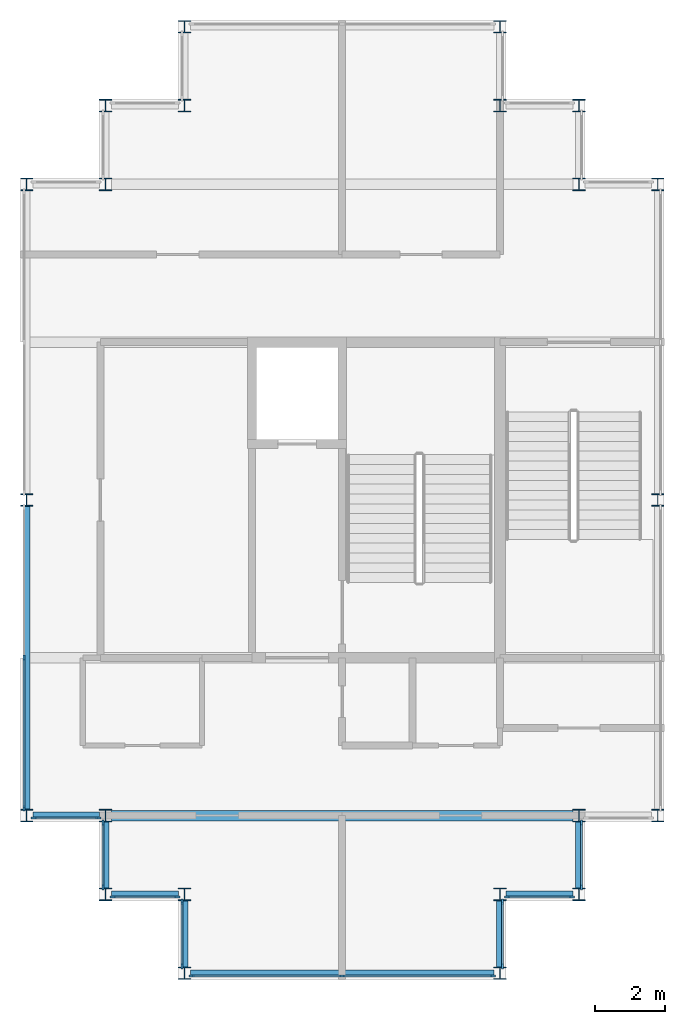
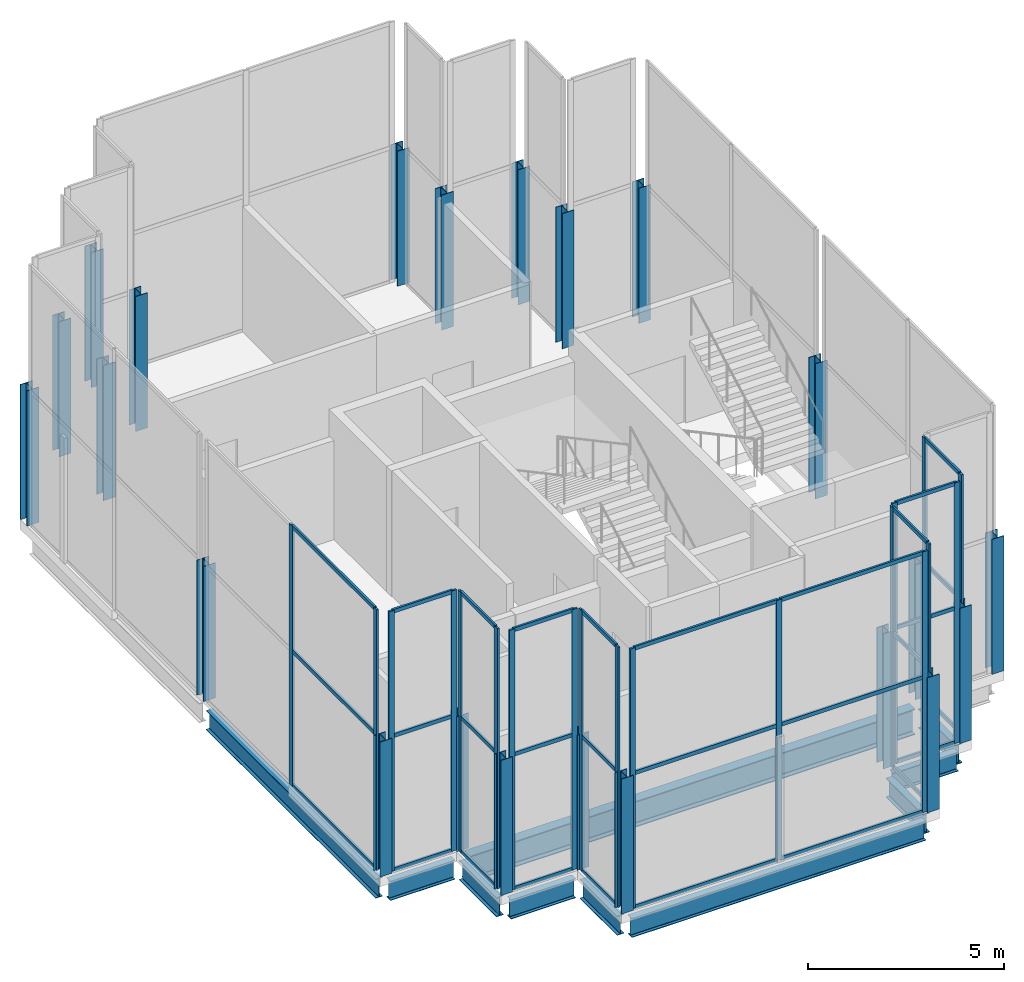
# One storey, part 1 of 8: 49 members, 22 columns, 10 beams, 9 elements without a shape of their own.
"""IFC4 building model written with IfcOpenShell, lengths in metres."""

from ifc_helpers import new_model, si_unit, direction, frame, origin, origin_2d, place, context, subcontext, project, spatial, rectangle, i_section, extrude, material, layer, layer_set, material_profile, profile_set, type_object, element, aggregate, save


model = new_model("IFC4")

# Units and contexts
model_context = context("Model", 3, precision=1e-05, world=origin(), true_north=direction((0.0, 1.0)))
body_context = subcontext(model_context, "Body", "Model", "MODEL_VIEW")
ifc_project = project(units=[si_unit("LENGTHUNIT", "METRE"), si_unit("AREAUNIT", "SQUARE_METRE"), si_unit("VOLUMEUNIT", "CUBIC_METRE"), si_unit("PLANEANGLEUNIT", "RADIAN"), si_unit("MASSUNIT", "GRAM", prefix="KILO")], contexts=[model_context])

# Site, building, storey
site_placement = place(None, origin())
site = spatial("IfcSite", under=ifc_project, at=site_placement, CompositionType="ELEMENT")
building_placement = place(site_placement, origin())
building = spatial("IfcBuilding", under=site, at=building_placement, Name="Caravel Reach Hotel and Residences", CompositionType="ELEMENT")
storey_placement = place(building_placement, frame((0.0, 0.0, 325.39990234375)))
storey = spatial("IfcBuildingStorey", under=building, at=storey_placement, Name="L82", CompositionType="ELEMENT", Elevation=325.39990234375)

# Columns
ifc_material_1 = material(Name="Structural steel Q355B", Category="steel")
ifc_material_profile_1 = material_profile(ifc_material_1, i_section(OverallWidth=0.35009765625, OverallDepth=0.35009765625, WebThickness=0.011962890625, FlangeThickness=0.01904296875, FilletRadius=0.012939453125, at=origin_2d()), Name="HW 350x350x12x19")
ifc_profile_set_1 = profile_set([ifc_material_profile_1], Name="Structural steel Q355B")
column_type = type_object("IfcColumnType", Name="Crown column HW 350x350x12x19", PredefinedType="COLUMN", material=ifc_profile_set_1)
for number, where, z_axis, x_axis, name in (
    (1, (45.0, 13.5, 0.0), (0.0, 0.0, 1.0), (1.0, 0.0, 0.0), "C19 column"),
    (2, (45.0, 15.75, 0.0), (0.0, 0.0, 1.0), (1.0, 0.0, 0.0), "C19 column"),
    (3, (47.25, 15.75, 0.0), (0.0, 0.0, 1.0), (1.0, 0.0, 0.0), "C19 column"),
    (4, (47.25, 18.0, 0.0), (0.0, 0.0, 1.0), (1.0, 0.0, 0.0), "C19 column"),
    (5, (49.5, 18.0, 0.0), (0.0, 0.0, 1.0), (1.0, 0.0, 0.0), "C19 column"),
    (6, (49.5, 27.0, 0.0), (0.0, 0.0, 1.0), (1.0, 0.0, 0.0), "C19 column"),
    (7, (49.5, 36.0, 0.0), (0.0, 0.0, 1.0), (1.0, 0.0, 0.0), "C19 column"),
    (8, (47.25, 36.0, 0.0), (0.0, 0.0, 1.0), (1.0, 0.0, 0.0), "C19 column"),
    (9, (47.25, 38.25, 0.0), (0.0, 0.0, 1.0), (1.0, 0.0, 0.0), "C19 column"),
    (10, (45.0, 38.25, 0.0), (0.0, 0.0, 1.0), (1.0, 0.0, 0.0), "C19 column"),
    (11, (45.0, 40.5, 0.0), (0.0, 0.0, 1.0), (1.0, 0.0, 0.0), "C19 column"),
    (12, (36.0, 40.5, 0.0), (0.0, 0.0, 1.0), (1.0, 0.0, 0.0), "C19 column"),
    (13, (36.0, 38.25, 0.0), (0.0, 0.0, 1.0), (1.0, 0.0, 0.0), "C19 column"),
    (14, (33.75, 38.25, 0.0), (0.0, 0.0, 1.0), (1.0, 0.0, 0.0), "C19 column"),
    (15, (33.75, 36.0, 0.0), (0.0, 0.0, 1.0), (1.0, 0.0, 0.0), "C19 column"),
    (16, (31.5, 36.0, 0.0), (0.0, 0.0, 1.0), (1.0, 0.0, 0.0), "C19 column"),
    (17, (31.5, 27.0, 0.0), (0.0, 0.0, 1.0), (1.0, 0.0, 0.0), "C19 column"),
    (18, (31.5, 18.0, 0.0), (0.0, 0.0, 1.0), (1.0, 0.0, 0.0), "C19 column"),
    (19, (33.75, 18.0, 0.0), (0.0, 0.0, 1.0), (1.0, 0.0, 0.0), "C19 column"),
    (20, (33.75, 15.75, 0.0), (0.0, 0.0, 1.0), (1.0, 0.0, 0.0), "C19 column"),
    (21, (36.0, 15.75, 0.0), (0.0, 0.0, 1.0), (1.0, 0.0, 0.0), "C19 column"),
    (22, (36.0, 13.5, 0.0), (0.0, 0.0, 1.0), (1.0, 0.0, 0.0), "C19 column"),
):
    element("IfcColumn", number, at=place(storey_placement, frame(where, z_axis=z_axis, x_axis=x_axis)), inside=storey, type_object=column_type, Name=name, PredefinedType="COLUMN", context=body_context, shape_type="SweptSolid", body=[
        extrude(i_section(OverallWidth=0.35009765625, OverallDepth=0.35009765625, WebThickness=0.011962890625, FlangeThickness=0.01904296875, FilletRadius=0.012939453125, at=origin_2d()), origin(), (0.0, 0.0, 1.0), 4.2001953125),
    ])

# Beam
ifc_material_2 = material(Name="Structural steel Q355B", Category="steel")
ifc_material_profile_2 = material_profile(ifc_material_2, i_section(OverallWidth=0.300048828125, OverallDepth=0.800048828125, WebThickness=0.013916015625, FlangeThickness=0.02587890625, FilletRadius=0.01806640625, at=origin_2d()), Name="HN 800x300x14x26")
ifc_profile_set_2 = profile_set([ifc_material_profile_2], Name="Structural steel Q355B")
beam_type_1 = type_object("IfcBeamType", Name="Beam HN 800x300x14x26", PredefinedType="BEAM", material=ifc_profile_set_2)
beam_1_placement = place(storey_placement, frame((33.925048828125, 18.0, -0.699951171875), z_axis=(1.0, 0.0, 0.0), x_axis=(0.0, 1.0, 0.0)))
element("IfcBeam", 23, at=beam_1_placement, inside=storey, type_object=beam_type_1, Name="B4 HN 800x300x14x26", PredefinedType="BEAM", context=body_context, shape_type="SweptSolid", body=[
    extrude(i_section(OverallWidth=0.300048828125, OverallDepth=0.800048828125, WebThickness=0.013916015625, FlangeThickness=0.02587890625, FilletRadius=0.01806640625, at=origin_2d()), origin(), (0.0, 0.0, 1.0), 13.14990234375),
])

# Curtain wall, members
ifc_material_3 = material(Name="Dark low-e glazing in black aluminium frame", Category="aluminium")
ifc_layer = layer(ifc_material_3, 0.199951171875)
ifc_layer_set = layer_set([ifc_layer], Name="CW4 Crown glazing")
curtain_wall_type = type_object("IfcCurtainWallType", Name="CW4 Crown glazing", PredefinedType="NOTDEFINED", material=ifc_layer_set)
curtain_wall_1_placement = place(storey_placement, origin())
curtain_wall_1 = element("IfcCurtainWall", 24, at=curtain_wall_1_placement, inside=storey, type_object=curtain_wall_type, Name="Crown glazing b0", PredefinedType="NOTDEFINED")
ifc_material_4 = material(Name="Anodised aluminium alloy 6063-T5, black", Category="aluminium")
ifc_material_profile_3 = material_profile(ifc_material_4, rectangle(XDim=0.06005859375, YDim=0.159912109375, at=origin_2d()), Name="CW mullion 60 x 160")
ifc_profile_set_3 = profile_set([ifc_material_profile_3], Name="Anodised aluminium alloy 6063-T5, black")
member_type_1 = type_object("IfcMemberType", Name="CW mullion 60 x 160", PredefinedType="MULLION", material=ifc_profile_set_3)
member_1_placement = place(storey_placement, frame((45.074951171875, 13.705078125, 0.0), z_axis=(0.0, 0.0, 1.0), x_axis=(-1.0, 0.0, 0.0)))
member_1 = element("IfcMember", 25, at=member_1_placement, type_object=member_type_1, Name="CW4 mullion 1", PredefinedType="MULLION", context=body_context, shape_type="SweptSolid", body=[
    extrude(rectangle(XDim=0.06005859375, YDim=0.159912109375, at=origin_2d()), origin(), (0.0, 0.0, 1.0), 8.10009765625),
])
member_2_placement = place(storey_placement, frame((45.074951171875, 15.544921875, 0.0), z_axis=(0.0, 0.0, 1.0), x_axis=(-1.0, 0.0, 0.0)))
member_2 = element("IfcMember", 26, at=member_2_placement, type_object=member_type_1, Name="CW4 mullion 2", PredefinedType="MULLION", context=body_context, shape_type="SweptSolid", body=[
    extrude(rectangle(XDim=0.06005859375, YDim=0.159912109375, at=origin_2d()), origin(), (0.0, 0.0, 1.0), 8.10009765625),
])

curtain_wall_2_placement = place(storey_placement, origin())
curtain_wall_2 = element("IfcCurtainWall", 27, at=curtain_wall_2_placement, inside=storey, type_object=curtain_wall_type, Name="Crown glazing b0", PredefinedType="NOTDEFINED")
member_3_placement = place(storey_placement, frame((45.205078125, 15.675048828125, 0.0), z_axis=(0.0, 0.0, 1.0), x_axis=(0.0, 1.0, 0.0)))
member_3 = element("IfcMember", 28, at=member_3_placement, type_object=member_type_1, Name="CW4 mullion 1", PredefinedType="MULLION", context=body_context, shape_type="SweptSolid", body=[
    extrude(rectangle(XDim=0.06005859375, YDim=0.159912109375, at=origin_2d()), origin(), (0.0, 0.0, 1.0), 8.10009765625),
])
member_4_placement = place(storey_placement, frame((47.044921875, 15.675048828125, 0.0), z_axis=(0.0, 0.0, 1.0), x_axis=(0.0, 1.0, 0.0)))
member_4 = element("IfcMember", 29, at=member_4_placement, type_object=member_type_1, Name="CW4 mullion 2", PredefinedType="MULLION", context=body_context, shape_type="SweptSolid", body=[
    extrude(rectangle(XDim=0.06005859375, YDim=0.159912109375, at=origin_2d()), origin(), (0.0, 0.0, 1.0), 8.10009765625),
])

curtain_wall_3_placement = place(storey_placement, origin())
curtain_wall_3 = element("IfcCurtainWall", 30, at=curtain_wall_3_placement, inside=storey, type_object=curtain_wall_type, Name="Crown glazing b0", PredefinedType="NOTDEFINED")
member_5_placement = place(storey_placement, frame((47.324951171875, 15.955078125, 0.0), z_axis=(0.0, 0.0, 1.0), x_axis=(-1.0, 0.0, 0.0)))
member_5 = element("IfcMember", 31, at=member_5_placement, type_object=member_type_1, Name="CW4 mullion 1", PredefinedType="MULLION", context=body_context, shape_type="SweptSolid", body=[
    extrude(rectangle(XDim=0.06005859375, YDim=0.159912109375, at=origin_2d()), origin(), (0.0, 0.0, 1.0), 8.10009765625),
])
member_6_placement = place(storey_placement, frame((47.324951171875, 17.794921875, 0.0), z_axis=(0.0, 0.0, 1.0), x_axis=(-1.0, 0.0, 0.0)))
member_6 = element("IfcMember", 32, at=member_6_placement, type_object=member_type_1, Name="CW4 mullion 2", PredefinedType="MULLION", context=body_context, shape_type="SweptSolid", body=[
    extrude(rectangle(XDim=0.06005859375, YDim=0.159912109375, at=origin_2d()), origin(), (0.0, 0.0, 1.0), 8.10009765625),
])

curtain_wall_4_placement = place(storey_placement, origin())
curtain_wall_4 = element("IfcCurtainWall", 33, at=curtain_wall_4_placement, inside=storey, type_object=curtain_wall_type, Name="Crown glazing b1", PredefinedType="NOTDEFINED")
member_7_placement = place(storey_placement, frame((31.425048828125, 22.5, 0.0), z_axis=(0.0, 0.0, 1.0), x_axis=(1.0, 0.0, 0.0)))
member_7 = element("IfcMember", 34, at=member_7_placement, type_object=member_type_1, Name="CW4 mullion 2", PredefinedType="MULLION", context=body_context, shape_type="SweptSolid", body=[
    extrude(rectangle(XDim=0.06005859375, YDim=0.159912109375, at=origin_2d()), origin(), (0.0, 0.0, 1.0), 8.10009765625),
])
member_8_placement = place(storey_placement, frame((31.425048828125, 18.205078125, 0.0), z_axis=(0.0, 0.0, 1.0), x_axis=(1.0, 0.0, 0.0)))
member_8 = element("IfcMember", 35, at=member_8_placement, type_object=member_type_1, Name="CW4 mullion 3", PredefinedType="MULLION", context=body_context, shape_type="SweptSolid", body=[
    extrude(rectangle(XDim=0.06005859375, YDim=0.159912109375, at=origin_2d()), origin(), (0.0, 0.0, 1.0), 8.10009765625),
])

curtain_wall_5_placement = place(storey_placement, origin())
curtain_wall_5 = element("IfcCurtainWall", 36, at=curtain_wall_5_placement, inside=storey, type_object=curtain_wall_type, Name="Crown glazing b0", PredefinedType="NOTDEFINED")
member_9_placement = place(storey_placement, frame((31.705078125, 17.925048828125, 0.0), z_axis=(0.0, 0.0, 1.0), x_axis=(0.0, 1.0, 0.0)))
member_9 = element("IfcMember", 37, at=member_9_placement, type_object=member_type_1, Name="CW4 mullion 1", PredefinedType="MULLION", context=body_context, shape_type="SweptSolid", body=[
    extrude(rectangle(XDim=0.06005859375, YDim=0.159912109375, at=origin_2d()), origin(), (0.0, 0.0, 1.0), 8.10009765625),
])
member_10_placement = place(storey_placement, frame((33.544921875, 17.925048828125, 0.0), z_axis=(0.0, 0.0, 1.0), x_axis=(0.0, 1.0, 0.0)))
member_10 = element("IfcMember", 38, at=member_10_placement, type_object=member_type_1, Name="CW4 mullion 2", PredefinedType="MULLION", context=body_context, shape_type="SweptSolid", body=[
    extrude(rectangle(XDim=0.06005859375, YDim=0.159912109375, at=origin_2d()), origin(), (0.0, 0.0, 1.0), 8.10009765625),
])

curtain_wall_6_placement = place(storey_placement, origin())
curtain_wall_6 = element("IfcCurtainWall", 39, at=curtain_wall_6_placement, inside=storey, type_object=curtain_wall_type, Name="Crown glazing b0", PredefinedType="NOTDEFINED")
member_11_placement = place(storey_placement, frame((33.675048828125, 17.794921875, 0.0), z_axis=(0.0, 0.0, 1.0), x_axis=(1.0, 0.0, 0.0)))
member_11 = element("IfcMember", 40, at=member_11_placement, type_object=member_type_1, Name="CW4 mullion 1", PredefinedType="MULLION", context=body_context, shape_type="SweptSolid", body=[
    extrude(rectangle(XDim=0.06005859375, YDim=0.159912109375, at=origin_2d()), origin(), (0.0, 0.0, 1.0), 8.10009765625),
])
member_12_placement = place(storey_placement, frame((33.675048828125, 15.955078125, 0.0), z_axis=(0.0, 0.0, 1.0), x_axis=(1.0, 0.0, 0.0)))
member_12 = element("IfcMember", 41, at=member_12_placement, type_object=member_type_1, Name="CW4 mullion 2", PredefinedType="MULLION", context=body_context, shape_type="SweptSolid", body=[
    extrude(rectangle(XDim=0.06005859375, YDim=0.159912109375, at=origin_2d()), origin(), (0.0, 0.0, 1.0), 8.10009765625),
])

curtain_wall_7_placement = place(storey_placement, origin())
curtain_wall_7 = element("IfcCurtainWall", 42, at=curtain_wall_7_placement, inside=storey, type_object=curtain_wall_type, Name="Crown glazing b0", PredefinedType="NOTDEFINED")
member_13_placement = place(storey_placement, frame((33.955078125, 15.675048828125, 0.0), z_axis=(0.0, 0.0, 1.0), x_axis=(0.0, 1.0, 0.0)))
member_13 = element("IfcMember", 43, at=member_13_placement, type_object=member_type_1, Name="CW4 mullion 1", PredefinedType="MULLION", context=body_context, shape_type="SweptSolid", body=[
    extrude(rectangle(XDim=0.06005859375, YDim=0.159912109375, at=origin_2d()), origin(), (0.0, 0.0, 1.0), 8.10009765625),
])
member_14_placement = place(storey_placement, frame((35.794921875, 15.675048828125, 0.0), z_axis=(0.0, 0.0, 1.0), x_axis=(0.0, 1.0, 0.0)))
member_14 = element("IfcMember", 44, at=member_14_placement, type_object=member_type_1, Name="CW4 mullion 2", PredefinedType="MULLION", context=body_context, shape_type="SweptSolid", body=[
    extrude(rectangle(XDim=0.06005859375, YDim=0.159912109375, at=origin_2d()), origin(), (0.0, 0.0, 1.0), 8.10009765625),
])

curtain_wall_8_placement = place(storey_placement, origin())
curtain_wall_8 = element("IfcCurtainWall", 45, at=curtain_wall_8_placement, inside=storey, type_object=curtain_wall_type, Name="Crown glazing b0", PredefinedType="NOTDEFINED")
member_15_placement = place(storey_placement, frame((35.925048828125, 15.544921875, 0.0), z_axis=(0.0, 0.0, 1.0), x_axis=(1.0, 0.0, 0.0)))
member_15 = element("IfcMember", 46, at=member_15_placement, type_object=member_type_1, Name="CW4 mullion 1", PredefinedType="MULLION", context=body_context, shape_type="SweptSolid", body=[
    extrude(rectangle(XDim=0.06005859375, YDim=0.159912109375, at=origin_2d()), origin(), (0.0, 0.0, 1.0), 8.10009765625),
])
member_16_placement = place(storey_placement, frame((35.925048828125, 13.705078125, 0.0), z_axis=(0.0, 0.0, 1.0), x_axis=(1.0, 0.0, 0.0)))
member_16 = element("IfcMember", 47, at=member_16_placement, type_object=member_type_1, Name="CW4 mullion 2", PredefinedType="MULLION", context=body_context, shape_type="SweptSolid", body=[
    extrude(rectangle(XDim=0.06005859375, YDim=0.159912109375, at=origin_2d()), origin(), (0.0, 0.0, 1.0), 8.10009765625),
])

curtain_wall_9_placement = place(storey_placement, origin())
curtain_wall_9 = element("IfcCurtainWall", 48, at=curtain_wall_9_placement, inside=storey, type_object=curtain_wall_type, Name="Crown glazing b0", PredefinedType="NOTDEFINED")
member_17_placement = place(storey_placement, frame((36.205078125, 13.425048828125, 0.0), z_axis=(0.0, 0.0, 1.0), x_axis=(0.0, 1.0, 0.0)))
member_17 = element("IfcMember", 49, at=member_17_placement, type_object=member_type_1, Name="CW4 mullion 1", PredefinedType="MULLION", context=body_context, shape_type="SweptSolid", body=[
    extrude(rectangle(XDim=0.06005859375, YDim=0.159912109375, at=origin_2d()), origin(), (0.0, 0.0, 1.0), 8.10009765625),
])
member_18_placement = place(storey_placement, frame((40.5, 13.425048828125, 0.0), z_axis=(0.0, 0.0, 1.0), x_axis=(0.0, 1.0, 0.0)))
member_18 = element("IfcMember", 50, at=member_18_placement, type_object=member_type_1, Name="CW4 mullion 2", PredefinedType="MULLION", context=body_context, shape_type="SweptSolid", body=[
    extrude(rectangle(XDim=0.06005859375, YDim=0.159912109375, at=origin_2d()), origin(), (0.0, 0.0, 1.0), 8.10009765625),
])
member_19_placement = place(storey_placement, frame((44.794921875, 13.425048828125, 0.0), z_axis=(0.0, 0.0, 1.0), x_axis=(0.0, 1.0, 0.0)))
member_19 = element("IfcMember", 51, at=member_19_placement, type_object=member_type_1, Name="CW4 mullion 3", PredefinedType="MULLION", context=body_context, shape_type="SweptSolid", body=[
    extrude(rectangle(XDim=0.06005859375, YDim=0.159912109375, at=origin_2d()), origin(), (0.0, 0.0, 1.0), 8.10009765625),
])

# Member
ifc_material_5 = material(Name="Anodised aluminium alloy 6063-T5, black", Category="aluminium")
ifc_material_profile_4 = material_profile(ifc_material_5, rectangle(XDim=0.06005859375, YDim=0.1201171875, at=origin_2d()), Name="CW transom 60 x 120")
ifc_profile_set_4 = profile_set([ifc_material_profile_4], Name="Anodised aluminium alloy 6063-T5, black")
member_type_2 = type_object("IfcMemberType", Name="CW transom 60 x 120", PredefinedType="USERDEFINED", material=ifc_profile_set_4)
member_20_placement = place(storey_placement, frame((45.074951171875, 13.735107421875, 0.030029296875), z_axis=(0.0, 1.0, 0.0), x_axis=(-1.0, 0.0, 0.0)))
member_20 = element("IfcMember", 52, at=member_20_placement, type_object=member_type_2, Name="CW4 transom 1.1", ObjectType="TRANSOM", PredefinedType="USERDEFINED", context=body_context, shape_type="SweptSolid", body=[
    extrude(rectangle(XDim=0.06005859375, YDim=0.1201171875, at=origin_2d()), origin(), (0.0, 0.0, 1.0), 1.77978515625),
])

member_21_placement = place(storey_placement, frame((45.074951171875, 13.735107421875, 4.2001953125), z_axis=(0.0, 1.0, 0.0), x_axis=(-1.0, 0.0, 0.0)))
member_21 = element("IfcMember", 53, at=member_21_placement, type_object=member_type_2, Name="CW4 transom 1.2", ObjectType="TRANSOM", PredefinedType="USERDEFINED", context=body_context, shape_type="SweptSolid", body=[
    extrude(rectangle(XDim=0.06005859375, YDim=0.1201171875, at=origin_2d()), origin(), (0.0, 0.0, 1.0), 1.77978515625),
])

member_22_placement = place(storey_placement, frame((45.074951171875, 13.735107421875, 8.070068359375), z_axis=(0.0, 1.0, 0.0), x_axis=(-1.0, 0.0, 0.0)))
member_22 = element("IfcMember", 54, at=member_22_placement, type_object=member_type_2, Name="CW4 transom 1.3", ObjectType="TRANSOM", PredefinedType="USERDEFINED", context=body_context, shape_type="SweptSolid", body=[
    extrude(rectangle(XDim=0.06005859375, YDim=0.1201171875, at=origin_2d()), origin(), (0.0, 0.0, 1.0), 1.77978515625),
])

aggregate(curtain_wall_1, [member_1, member_2, member_20, member_21, member_22])

member_23_placement = place(storey_placement, frame((45.235107421875, 15.675048828125, 0.030029296875), z_axis=(1.0, 0.0, 0.0), x_axis=(0.0, 1.0, 0.0)))
member_23 = element("IfcMember", 55, at=member_23_placement, type_object=member_type_2, Name="CW4 transom 1.1", ObjectType="TRANSOM", PredefinedType="USERDEFINED", context=body_context, shape_type="SweptSolid", body=[
    extrude(rectangle(XDim=0.06005859375, YDim=0.1201171875, at=origin_2d()), origin(), (0.0, 0.0, 1.0), 1.77978515625),
])

member_24_placement = place(storey_placement, frame((45.235107421875, 15.675048828125, 4.2001953125), z_axis=(1.0, 0.0, 0.0), x_axis=(0.0, 1.0, 0.0)))
member_24 = element("IfcMember", 56, at=member_24_placement, type_object=member_type_2, Name="CW4 transom 1.2", ObjectType="TRANSOM", PredefinedType="USERDEFINED", context=body_context, shape_type="SweptSolid", body=[
    extrude(rectangle(XDim=0.06005859375, YDim=0.1201171875, at=origin_2d()), origin(), (0.0, 0.0, 1.0), 1.77978515625),
])

member_25_placement = place(storey_placement, frame((45.235107421875, 15.675048828125, 8.070068359375), z_axis=(1.0, 0.0, 0.0), x_axis=(0.0, 1.0, 0.0)))
member_25 = element("IfcMember", 57, at=member_25_placement, type_object=member_type_2, Name="CW4 transom 1.3", ObjectType="TRANSOM", PredefinedType="USERDEFINED", context=body_context, shape_type="SweptSolid", body=[
    extrude(rectangle(XDim=0.06005859375, YDim=0.1201171875, at=origin_2d()), origin(), (0.0, 0.0, 1.0), 1.77978515625),
])

aggregate(curtain_wall_2, [member_3, member_4, member_23, member_24, member_25])

member_26_placement = place(storey_placement, frame((47.324951171875, 15.985107421875, 0.030029296875), z_axis=(0.0, 1.0, 0.0), x_axis=(-1.0, 0.0, 0.0)))
member_26 = element("IfcMember", 58, at=member_26_placement, type_object=member_type_2, Name="CW4 transom 1.1", ObjectType="TRANSOM", PredefinedType="USERDEFINED", context=body_context, shape_type="SweptSolid", body=[
    extrude(rectangle(XDim=0.06005859375, YDim=0.1201171875, at=origin_2d()), origin(), (0.0, 0.0, 1.0), 1.77978515625),
])

member_27_placement = place(storey_placement, frame((47.324951171875, 15.985107421875, 4.2001953125), z_axis=(0.0, 1.0, 0.0), x_axis=(-1.0, 0.0, 0.0)))
member_27 = element("IfcMember", 59, at=member_27_placement, type_object=member_type_2, Name="CW4 transom 1.2", ObjectType="TRANSOM", PredefinedType="USERDEFINED", context=body_context, shape_type="SweptSolid", body=[
    extrude(rectangle(XDim=0.06005859375, YDim=0.1201171875, at=origin_2d()), origin(), (0.0, 0.0, 1.0), 1.77978515625),
])

member_28_placement = place(storey_placement, frame((47.324951171875, 15.985107421875, 8.070068359375), z_axis=(0.0, 1.0, 0.0), x_axis=(-1.0, 0.0, 0.0)))
member_28 = element("IfcMember", 60, at=member_28_placement, type_object=member_type_2, Name="CW4 transom 1.3", ObjectType="TRANSOM", PredefinedType="USERDEFINED", context=body_context, shape_type="SweptSolid", body=[
    extrude(rectangle(XDim=0.06005859375, YDim=0.1201171875, at=origin_2d()), origin(), (0.0, 0.0, 1.0), 1.77978515625),
])

aggregate(curtain_wall_3, [member_5, member_6, member_26, member_27, member_28])

member_29_placement = place(storey_placement, frame((31.425048828125, 22.469970703125, 0.030029296875), z_axis=(0.0, -1.0, 0.0), x_axis=(1.0, 0.0, 0.0)))
member_29 = element("IfcMember", 61, at=member_29_placement, type_object=member_type_2, Name="CW4 transom 2.1", ObjectType="TRANSOM", PredefinedType="USERDEFINED", context=body_context, shape_type="SweptSolid", body=[
    extrude(rectangle(XDim=0.06005859375, YDim=0.1201171875, at=origin_2d()), origin(), (0.0, 0.0, 1.0), 4.23486328125),
])

member_30_placement = place(storey_placement, frame((31.425048828125, 22.469970703125, 4.2001953125), z_axis=(0.0, -1.0, 0.0), x_axis=(1.0, 0.0, 0.0)))
member_30 = element("IfcMember", 62, at=member_30_placement, type_object=member_type_2, Name="CW4 transom 2.2", ObjectType="TRANSOM", PredefinedType="USERDEFINED", context=body_context, shape_type="SweptSolid", body=[
    extrude(rectangle(XDim=0.06005859375, YDim=0.1201171875, at=origin_2d()), origin(), (0.0, 0.0, 1.0), 4.23486328125),
])

member_31_placement = place(storey_placement, frame((31.425048828125, 22.469970703125, 8.070068359375), z_axis=(0.0, -1.0, 0.0), x_axis=(1.0, 0.0, 0.0)))
member_31 = element("IfcMember", 63, at=member_31_placement, type_object=member_type_2, Name="CW4 transom 2.3", ObjectType="TRANSOM", PredefinedType="USERDEFINED", context=body_context, shape_type="SweptSolid", body=[
    extrude(rectangle(XDim=0.06005859375, YDim=0.1201171875, at=origin_2d()), origin(), (0.0, 0.0, 1.0), 4.23486328125),
])

aggregate(curtain_wall_4, [member_7, member_8, member_29, member_30, member_31])

member_32_placement = place(storey_placement, frame((31.735107421875, 17.925048828125, 0.030029296875), z_axis=(1.0, 0.0, 0.0), x_axis=(0.0, 1.0, 0.0)))
member_32 = element("IfcMember", 64, at=member_32_placement, type_object=member_type_2, Name="CW4 transom 1.1", ObjectType="TRANSOM", PredefinedType="USERDEFINED", context=body_context, shape_type="SweptSolid", body=[
    extrude(rectangle(XDim=0.06005859375, YDim=0.1201171875, at=origin_2d()), origin(), (0.0, 0.0, 1.0), 1.77978515625),
])

member_33_placement = place(storey_placement, frame((31.735107421875, 17.925048828125, 4.2001953125), z_axis=(1.0, 0.0, 0.0), x_axis=(0.0, 1.0, 0.0)))
member_33 = element("IfcMember", 65, at=member_33_placement, type_object=member_type_2, Name="CW4 transom 1.2", ObjectType="TRANSOM", PredefinedType="USERDEFINED", context=body_context, shape_type="SweptSolid", body=[
    extrude(rectangle(XDim=0.06005859375, YDim=0.1201171875, at=origin_2d()), origin(), (0.0, 0.0, 1.0), 1.77978515625),
])

member_34_placement = place(storey_placement, frame((31.735107421875, 17.925048828125, 8.070068359375), z_axis=(1.0, 0.0, 0.0), x_axis=(0.0, 1.0, 0.0)))
member_34 = element("IfcMember", 66, at=member_34_placement, type_object=member_type_2, Name="CW4 transom 1.3", ObjectType="TRANSOM", PredefinedType="USERDEFINED", context=body_context, shape_type="SweptSolid", body=[
    extrude(rectangle(XDim=0.06005859375, YDim=0.1201171875, at=origin_2d()), origin(), (0.0, 0.0, 1.0), 1.77978515625),
])

aggregate(curtain_wall_5, [member_9, member_10, member_32, member_33, member_34])

member_35_placement = place(storey_placement, frame((33.675048828125, 17.764892578125, 0.030029296875), z_axis=(0.0, -1.0, 0.0), x_axis=(1.0, 0.0, 0.0)))
member_35 = element("IfcMember", 67, at=member_35_placement, type_object=member_type_2, Name="CW4 transom 1.1", ObjectType="TRANSOM", PredefinedType="USERDEFINED", context=body_context, shape_type="SweptSolid", body=[
    extrude(rectangle(XDim=0.06005859375, YDim=0.1201171875, at=origin_2d()), origin(), (0.0, 0.0, 1.0), 1.77978515625),
])

member_36_placement = place(storey_placement, frame((33.675048828125, 17.764892578125, 4.2001953125), z_axis=(0.0, -1.0, 0.0), x_axis=(1.0, 0.0, 0.0)))
member_36 = element("IfcMember", 68, at=member_36_placement, type_object=member_type_2, Name="CW4 transom 1.2", ObjectType="TRANSOM", PredefinedType="USERDEFINED", context=body_context, shape_type="SweptSolid", body=[
    extrude(rectangle(XDim=0.06005859375, YDim=0.1201171875, at=origin_2d()), origin(), (0.0, 0.0, 1.0), 1.77978515625),
])

member_37_placement = place(storey_placement, frame((33.675048828125, 17.764892578125, 8.070068359375), z_axis=(0.0, -1.0, 0.0), x_axis=(1.0, 0.0, 0.0)))
member_37 = element("IfcMember", 69, at=member_37_placement, type_object=member_type_2, Name="CW4 transom 1.3", ObjectType="TRANSOM", PredefinedType="USERDEFINED", context=body_context, shape_type="SweptSolid", body=[
    extrude(rectangle(XDim=0.06005859375, YDim=0.1201171875, at=origin_2d()), origin(), (0.0, 0.0, 1.0), 1.77978515625),
])

aggregate(curtain_wall_6, [member_11, member_12, member_35, member_36, member_37])

member_38_placement = place(storey_placement, frame((33.985107421875, 15.675048828125, 0.030029296875), z_axis=(1.0, 0.0, 0.0), x_axis=(0.0, 1.0, 0.0)))
member_38 = element("IfcMember", 70, at=member_38_placement, type_object=member_type_2, Name="CW4 transom 1.1", ObjectType="TRANSOM", PredefinedType="USERDEFINED", context=body_context, shape_type="SweptSolid", body=[
    extrude(rectangle(XDim=0.06005859375, YDim=0.1201171875, at=origin_2d()), origin(), (0.0, 0.0, 1.0), 1.77978515625),
])

member_39_placement = place(storey_placement, frame((33.985107421875, 15.675048828125, 4.2001953125), z_axis=(1.0, 0.0, 0.0), x_axis=(0.0, 1.0, 0.0)))
member_39 = element("IfcMember", 71, at=member_39_placement, type_object=member_type_2, Name="CW4 transom 1.2", ObjectType="TRANSOM", PredefinedType="USERDEFINED", context=body_context, shape_type="SweptSolid", body=[
    extrude(rectangle(XDim=0.06005859375, YDim=0.1201171875, at=origin_2d()), origin(), (0.0, 0.0, 1.0), 1.77978515625),
])

member_40_placement = place(storey_placement, frame((33.985107421875, 15.675048828125, 8.070068359375), z_axis=(1.0, 0.0, 0.0), x_axis=(0.0, 1.0, 0.0)))
member_40 = element("IfcMember", 72, at=member_40_placement, type_object=member_type_2, Name="CW4 transom 1.3", ObjectType="TRANSOM", PredefinedType="USERDEFINED", context=body_context, shape_type="SweptSolid", body=[
    extrude(rectangle(XDim=0.06005859375, YDim=0.1201171875, at=origin_2d()), origin(), (0.0, 0.0, 1.0), 1.77978515625),
])

aggregate(curtain_wall_7, [member_13, member_14, member_38, member_39, member_40])

member_41_placement = place(storey_placement, frame((35.925048828125, 15.514892578125, 0.030029296875), z_axis=(0.0, -1.0, 0.0), x_axis=(1.0, 0.0, 0.0)))
member_41 = element("IfcMember", 73, at=member_41_placement, type_object=member_type_2, Name="CW4 transom 1.1", ObjectType="TRANSOM", PredefinedType="USERDEFINED", context=body_context, shape_type="SweptSolid", body=[
    extrude(rectangle(XDim=0.06005859375, YDim=0.1201171875, at=origin_2d()), origin(), (0.0, 0.0, 1.0), 1.77978515625),
])

member_42_placement = place(storey_placement, frame((35.925048828125, 15.514892578125, 4.2001953125), z_axis=(0.0, -1.0, 0.0), x_axis=(1.0, 0.0, 0.0)))
member_42 = element("IfcMember", 74, at=member_42_placement, type_object=member_type_2, Name="CW4 transom 1.2", ObjectType="TRANSOM", PredefinedType="USERDEFINED", context=body_context, shape_type="SweptSolid", body=[
    extrude(rectangle(XDim=0.06005859375, YDim=0.1201171875, at=origin_2d()), origin(), (0.0, 0.0, 1.0), 1.77978515625),
])

member_43_placement = place(storey_placement, frame((35.925048828125, 15.514892578125, 8.070068359375), z_axis=(0.0, -1.0, 0.0), x_axis=(1.0, 0.0, 0.0)))
member_43 = element("IfcMember", 75, at=member_43_placement, type_object=member_type_2, Name="CW4 transom 1.3", ObjectType="TRANSOM", PredefinedType="USERDEFINED", context=body_context, shape_type="SweptSolid", body=[
    extrude(rectangle(XDim=0.06005859375, YDim=0.1201171875, at=origin_2d()), origin(), (0.0, 0.0, 1.0), 1.77978515625),
])

aggregate(curtain_wall_8, [member_15, member_16, member_41, member_42, member_43])

member_44_placement = place(storey_placement, frame((36.235107421875, 13.425048828125, 0.030029296875), z_axis=(1.0, 0.0, 0.0), x_axis=(0.0, 1.0, 0.0)))
member_44 = element("IfcMember", 76, at=member_44_placement, type_object=member_type_2, Name="CW4 transom 1.1", ObjectType="TRANSOM", PredefinedType="USERDEFINED", context=body_context, shape_type="SweptSolid", body=[
    extrude(rectangle(XDim=0.06005859375, YDim=0.1201171875, at=origin_2d()), origin(), (0.0, 0.0, 1.0), 4.23486328125),
])

member_45_placement = place(storey_placement, frame((36.235107421875, 13.425048828125, 4.2001953125), z_axis=(1.0, 0.0, 0.0), x_axis=(0.0, 1.0, 0.0)))
member_45 = element("IfcMember", 77, at=member_45_placement, type_object=member_type_2, Name="CW4 transom 1.2", ObjectType="TRANSOM", PredefinedType="USERDEFINED", context=body_context, shape_type="SweptSolid", body=[
    extrude(rectangle(XDim=0.06005859375, YDim=0.1201171875, at=origin_2d()), origin(), (0.0, 0.0, 1.0), 4.23486328125),
])

member_46_placement = place(storey_placement, frame((36.235107421875, 13.425048828125, 8.070068359375), z_axis=(1.0, 0.0, 0.0), x_axis=(0.0, 1.0, 0.0)))
member_46 = element("IfcMember", 78, at=member_46_placement, type_object=member_type_2, Name="CW4 transom 1.3", ObjectType="TRANSOM", PredefinedType="USERDEFINED", context=body_context, shape_type="SweptSolid", body=[
    extrude(rectangle(XDim=0.06005859375, YDim=0.1201171875, at=origin_2d()), origin(), (0.0, 0.0, 1.0), 4.23486328125),
])

member_47_placement = place(storey_placement, frame((40.530029296875, 13.425048828125, 0.030029296875), z_axis=(1.0, 0.0, 0.0), x_axis=(0.0, 1.0, 0.0)))
member_47 = element("IfcMember", 79, at=member_47_placement, type_object=member_type_2, Name="CW4 transom 2.1", ObjectType="TRANSOM", PredefinedType="USERDEFINED", context=body_context, shape_type="SweptSolid", body=[
    extrude(rectangle(XDim=0.06005859375, YDim=0.1201171875, at=origin_2d()), origin(), (0.0, 0.0, 1.0), 4.23486328125),
])

member_48_placement = place(storey_placement, frame((40.530029296875, 13.425048828125, 4.2001953125), z_axis=(1.0, 0.0, 0.0), x_axis=(0.0, 1.0, 0.0)))
member_48 = element("IfcMember", 80, at=member_48_placement, type_object=member_type_2, Name="CW4 transom 2.2", ObjectType="TRANSOM", PredefinedType="USERDEFINED", context=body_context, shape_type="SweptSolid", body=[
    extrude(rectangle(XDim=0.06005859375, YDim=0.1201171875, at=origin_2d()), origin(), (0.0, 0.0, 1.0), 4.23486328125),
])

member_49_placement = place(storey_placement, frame((40.530029296875, 13.425048828125, 8.070068359375), z_axis=(1.0, 0.0, 0.0), x_axis=(0.0, 1.0, 0.0)))
member_49 = element("IfcMember", 81, at=member_49_placement, type_object=member_type_2, Name="CW4 transom 2.3", ObjectType="TRANSOM", PredefinedType="USERDEFINED", context=body_context, shape_type="SweptSolid", body=[
    extrude(rectangle(XDim=0.06005859375, YDim=0.1201171875, at=origin_2d()), origin(), (0.0, 0.0, 1.0), 4.23486328125),
])

aggregate(curtain_wall_9, [member_17, member_18, member_19, member_44, member_45, member_46, member_47, member_48, member_49])

# Beams
ifc_material_6 = material(Name="Structural steel Q355B", Category="steel")
ifc_material_profile_5 = material_profile(ifc_material_6, i_section(OverallWidth=0.199951171875, OverallDepth=0.60009765625, WebThickness=0.010986328125, FlangeThickness=0.01708984375, FilletRadius=0.012939453125, at=origin_2d()), Name="HN 600x200x11x17")
ifc_profile_set_5 = profile_set([ifc_material_profile_5], Name="Structural steel Q355B")
beam_type_2 = type_object("IfcBeamType", Name="Spandrel beam HN 600x200x11x17", PredefinedType="SPANDREL", material=ifc_profile_set_5)
for number, where, z_axis, x_axis, name in (
    (82, (45.0, 13.675048828125, -0.599853515625), (0.0, 1.0, 0.0), (-1.0, 0.0, 0.0), "SP1 HN 600x200x11x17"),
    (83, (45.175048828125, 15.75, -0.599853515625), (1.0, 0.0, 0.0), (0.0, 1.0, 0.0), "SP1 HN 600x200x11x17"),
    (84, (47.25, 15.925048828125, -0.599853515625), (0.0, 1.0, 0.0), (-1.0, 0.0, 0.0), "SP1 HN 600x200x11x17"),
):
    element("IfcBeam", number, at=place(storey_placement, frame(where, z_axis=z_axis, x_axis=x_axis)), inside=storey, type_object=beam_type_2, Name=name, PredefinedType="SPANDREL", context=body_context, shape_type="SweptSolid", body=[
        extrude(i_section(OverallWidth=0.199951171875, OverallDepth=0.60009765625, WebThickness=0.010986328125, FlangeThickness=0.01708984375, FilletRadius=0.012939453125, at=origin_2d()), origin(), (0.0, 0.0, 1.0), 1.89990234375),
    ])
beam_2_placement = place(storey_placement, frame((31.5, 26.824951171875, -0.599853515625), z_axis=(0.0, -1.0, 0.0), x_axis=(1.0, 0.0, 0.0)))
element("IfcBeam", 85, at=beam_2_placement, inside=storey, type_object=beam_type_2, Name="SP1 HN 600x200x11x17", PredefinedType="SPANDREL", context=body_context, shape_type="SweptSolid", body=[
    extrude(i_section(OverallWidth=0.199951171875, OverallDepth=0.60009765625, WebThickness=0.010986328125, FlangeThickness=0.01708984375, FilletRadius=0.012939453125, at=origin_2d()), origin(), (0.0, 0.0, 1.0), 8.64990234375),
])
for number, where, z_axis, x_axis, name in (
    (86, (31.675048828125, 18.0, -0.599853515625), (1.0, 0.0, 0.0), (0.0, 1.0, 0.0), "SP1 HN 600x200x11x17"),
    (87, (33.75, 17.824951171875, -0.599853515625), (0.0, -1.0, 0.0), (1.0, 0.0, 0.0), "SP1 HN 600x200x11x17"),
    (88, (33.925048828125, 15.75, -0.599853515625), (1.0, 0.0, 0.0), (0.0, 1.0, 0.0), "SP1 HN 600x200x11x17"),
    (89, (36.0, 15.574951171875, -0.599853515625), (0.0, -1.0, 0.0), (1.0, 0.0, 0.0), "SP1 HN 600x200x11x17"),
):
    element("IfcBeam", number, at=place(storey_placement, frame(where, z_axis=z_axis, x_axis=x_axis)), inside=storey, type_object=beam_type_2, Name=name, PredefinedType="SPANDREL", context=body_context, shape_type="SweptSolid", body=[
        extrude(i_section(OverallWidth=0.199951171875, OverallDepth=0.60009765625, WebThickness=0.010986328125, FlangeThickness=0.01708984375, FilletRadius=0.012939453125, at=origin_2d()), origin(), (0.0, 0.0, 1.0), 1.89990234375),
    ])
beam_3_placement = place(storey_placement, frame((36.175048828125, 13.5, -0.599853515625), z_axis=(1.0, 0.0, 0.0), x_axis=(0.0, 1.0, 0.0)))
element("IfcBeam", 90, at=beam_3_placement, inside=storey, type_object=beam_type_2, Name="SP1 HN 600x200x11x17", PredefinedType="SPANDREL", context=body_context, shape_type="SweptSolid", body=[
    extrude(i_section(OverallWidth=0.199951171875, OverallDepth=0.60009765625, WebThickness=0.010986328125, FlangeThickness=0.01708984375, FilletRadius=0.012939453125, at=origin_2d()), origin(), (0.0, 0.0, 1.0), 8.64990234375),
])

save(model, "model.ifc")
